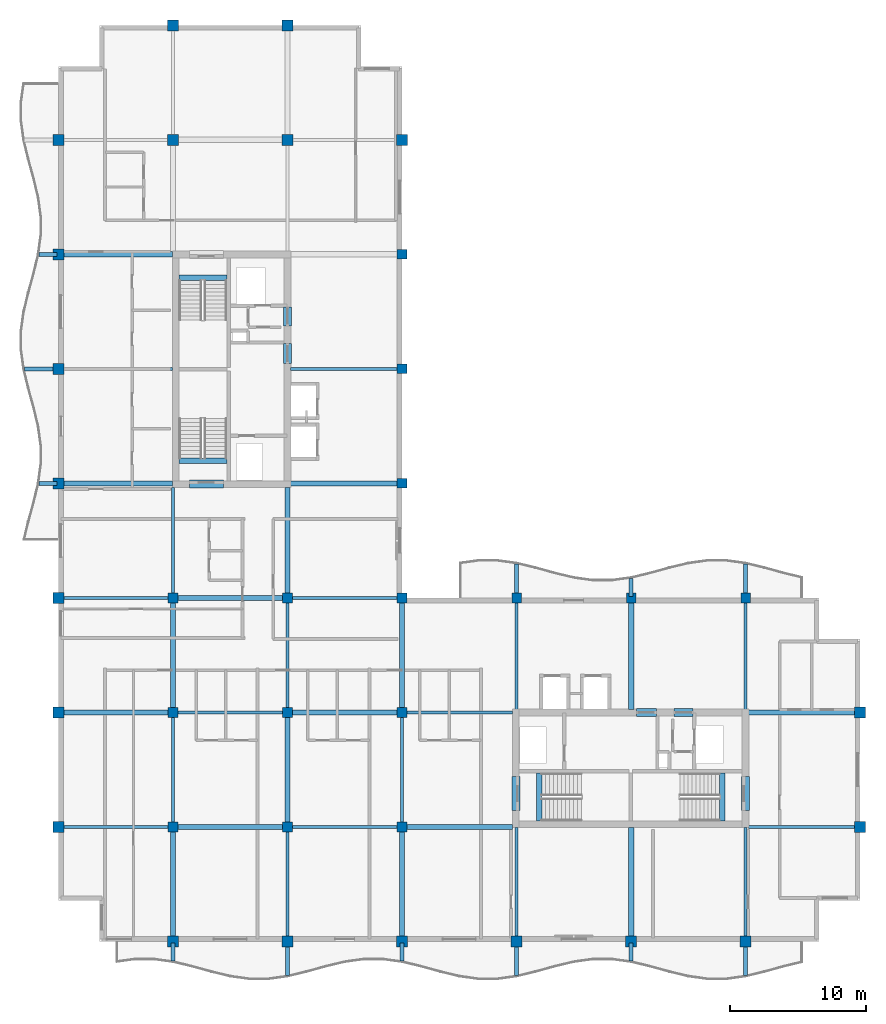
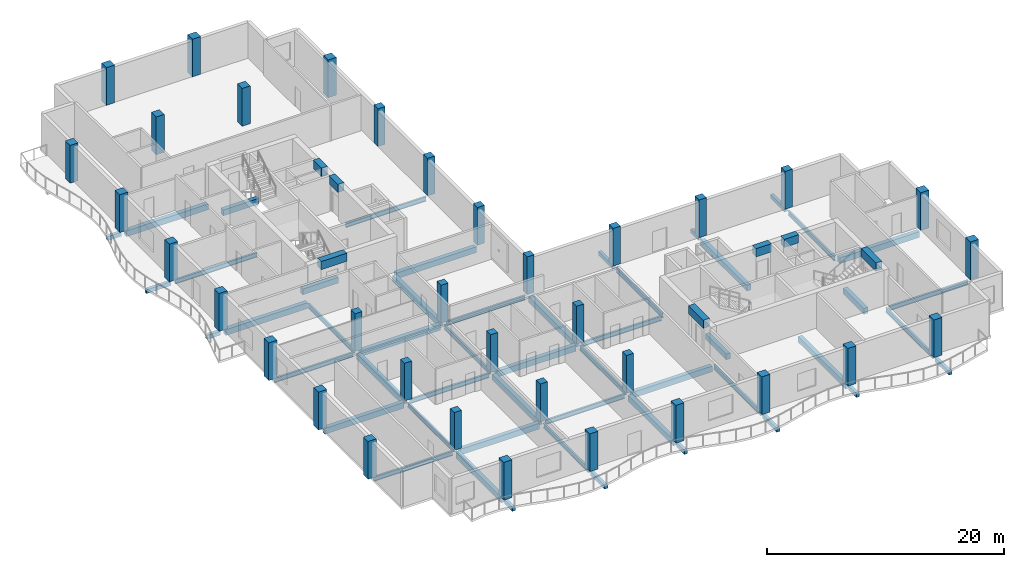
# One storey, part 1 of 11: 58 beams, 35 columns.
"""IFC4 building model written with IfcOpenShell, lengths in metres."""

from ifc_helpers import new_model, si_unit, direction, frame, origin, origin_2d, place, context, subcontext, project, spatial, rectangle, i_section, extrude, material, material_profile, profile_set, type_object, element, save


model = new_model("IFC4")

# Units and contexts
model_context = context("Model", 3, precision=1e-05, world=origin(), true_north=direction((0.0, 1.0)))
body_context = subcontext(model_context, "Body", "Model", "MODEL_VIEW")
ifc_project = project(units=[si_unit("LENGTHUNIT", "METRE"), si_unit("AREAUNIT", "SQUARE_METRE"), si_unit("VOLUMEUNIT", "CUBIC_METRE"), si_unit("PLANEANGLEUNIT", "RADIAN"), si_unit("MASSUNIT", "GRAM", prefix="KILO")], contexts=[model_context])

# Site, building, storey
site_placement = place(None, origin())
site = spatial("IfcSite", under=ifc_project, at=site_placement, CompositionType="ELEMENT")
building_placement = place(site_placement, origin())
building = spatial("IfcBuilding", under=site, at=building_placement, Name="Koriwani Terraces Tower", CompositionType="ELEMENT")
storey_placement = place(building_placement, frame((0.0, 0.0, 320.300048828125)))
storey = spatial("IfcBuildingStorey", under=building, at=storey_placement, Name="L79", CompositionType="ELEMENT", Elevation=320.300048828125)

# Columns
ifc_material_1 = material(Name="Concrete C50/60", Category="concrete")
ifc_material_profile_1 = material_profile(ifc_material_1, rectangle(XDim=0.699951171875, YDim=0.699951171875, at=origin_2d()), Name="Concrete C50/60", Category="LoadBearing")
ifc_profile_set_1 = profile_set([ifc_material_profile_1], Name="Concrete C50/60")
column_type_1 = type_object("IfcColumnType", Name="COL_RC_700X700", PredefinedType="COLUMN", material=ifc_profile_set_1)
for number, where, z_axis, x_axis, name in (
    (1, (16.800048828125, 16.800048828125, 0.0), (0.0, 0.0, 1.0), (1.0, 0.0, 0.0), "L79 Column 3/C"),
    (2, (16.800048828125, 25.199951171875, 0.0), (0.0, 0.0, 1.0), (1.0, 0.0, 0.0), "L79 Column 3/D"),
    (3, (16.800048828125, 33.60009765625, 0.0), (0.0, 0.0, 1.0), (1.0, 0.0, 0.0), "L79 Column 3/E"),
    (4, (25.199951171875, 16.800048828125, 0.0), (0.0, 0.0, 1.0), (1.0, 0.0, 0.0), "L79 Column 4/C"),
    (5, (25.199951171875, 25.199951171875, 0.0), (0.0, 0.0, 1.0), (1.0, 0.0, 0.0), "L79 Column 4/D"),
    (6, (25.199951171875, 33.60009765625, 0.0), (0.0, 0.0, 1.0), (1.0, 0.0, 0.0), "L79 Column 4/E"),
    (7, (33.60009765625, 16.800048828125, 0.0), (0.0, 0.0, 1.0), (1.0, 0.0, 0.0), "L79 Column 5/C"),
    (8, (33.60009765625, 25.199951171875, 0.0), (0.0, 0.0, 1.0), (1.0, 0.0, 0.0), "L79 Column 5/D"),
    (9, (33.60009765625, 33.60009765625, 0.0), (0.0, 0.0, 1.0), (1.0, 0.0, 0.0), "L79 Column 5/E"),
    (10, (33.60009765625, 42.0, 0.0), (0.0, 0.0, 1.0), (1.0, 0.0, 0.0), "L79 Column 5/F"),
    (11, (33.60009765625, 50.39990234375, 0.0), (0.0, 0.0, 1.0), (1.0, 0.0, 0.0), "L79 Column 5/G"),
    (12, (33.60009765625, 58.800048828125, 0.0), (0.0, 0.0, 1.0), (1.0, 0.0, 0.0), "L79 Column 5/H"),
    (13, (42.0, 33.60009765625, 0.0), (0.0, 0.0, 1.0), (1.0, 0.0, 0.0), "L79 Column 6/E"),
    (14, (50.39990234375, 33.60009765625, 0.0), (0.0, 0.0, 1.0), (1.0, 0.0, 0.0), "L79 Column 7/E"),
    (15, (58.800048828125, 33.60009765625, 0.0), (0.0, 0.0, 1.0), (1.0, 0.0, 0.0), "L79 Column 8/E"),
):
    element("IfcColumn", number, at=place(storey_placement, frame(where, z_axis=z_axis, x_axis=x_axis)), inside=storey, type_object=column_type_1, Name=name, PredefinedType="COLUMN", context=body_context, shape_type="SweptSolid", body=[
        extrude(rectangle(XDim=0.699951171875, YDim=0.699951171875, at=origin_2d()), origin(), (0.0, 0.0, 1.0), 3.89990234375),
    ])
ifc_material_profile_2 = material_profile(ifc_material_1, rectangle(XDim=0.800048828125, YDim=0.800048828125, at=origin_2d()), Name="Concrete C50/60", Category="LoadBearing")
ifc_profile_set_2 = profile_set([ifc_material_profile_2], Name="Concrete C50/60")
column_type_2 = type_object("IfcColumnType", Name="COL_RC_800X800", PredefinedType="COLUMN", material=ifc_profile_set_2)
for number, where, z_axis, x_axis, name in (
    (16, (8.39990234375, 16.800048828125, 0.0), (0.0, 0.0, 1.0), (1.0, 0.0, 0.0), "L79 Column 2/C"),
    (17, (8.39990234375, 25.199951171875, 0.0), (0.0, 0.0, 1.0), (1.0, 0.0, 0.0), "L79 Column 2/D"),
    (18, (8.39990234375, 33.60009765625, 0.0), (0.0, 0.0, 1.0), (1.0, 0.0, 0.0), "L79 Column 2/E"),
    (19, (8.39990234375, 42.0, 0.0), (0.0, 0.0, 1.0), (1.0, 0.0, 0.0), "L79 Column 2/F"),
    (20, (8.39990234375, 50.39990234375, 0.0), (0.0, 0.0, 1.0), (1.0, 0.0, 0.0), "L79 Column 2/G"),
    (21, (8.39990234375, 58.800048828125, 0.0), (0.0, 0.0, 1.0), (1.0, 0.0, 0.0), "L79 Column 2/H"),
    (22, (8.39990234375, 67.199951171875, 0.0), (0.0, 0.0, 1.0), (1.0, 0.0, 0.0), "L79 Column 2/I"),
    (23, (16.800048828125, 8.39990234375, 0.0), (0.0, 0.0, 1.0), (1.0, 0.0, 0.0), "L79 Column 3/B"),
    (24, (16.800048828125, 67.199951171875, 0.0), (0.0, 0.0, 1.0), (1.0, 0.0, 0.0), "L79 Column 3/I"),
    (25, (16.800048828125, 75.60009765625, 0.0), (0.0, 0.0, 1.0), (1.0, 0.0, 0.0), "L79 Column 3/J"),
    (26, (25.199951171875, 8.39990234375, 0.0), (0.0, 0.0, 1.0), (1.0, 0.0, 0.0), "L79 Column 4/B"),
    (27, (25.199951171875, 67.199951171875, 0.0), (0.0, 0.0, 1.0), (1.0, 0.0, 0.0), "L79 Column 4/I"),
    (28, (25.199951171875, 75.60009765625, 0.0), (0.0, 0.0, 1.0), (1.0, 0.0, 0.0), "L79 Column 4/J"),
    (29, (33.60009765625, 8.39990234375, 0.0), (0.0, 0.0, 1.0), (1.0, 0.0, 0.0), "L79 Column 5/B"),
    (30, (33.60009765625, 67.199951171875, 0.0), (0.0, 0.0, 1.0), (1.0, 0.0, 0.0), "L79 Column 5/I"),
    (31, (42.0, 8.39990234375, 0.0), (0.0, 0.0, 1.0), (1.0, 0.0, 0.0), "L79 Column 6/B"),
    (32, (50.39990234375, 8.39990234375, 0.0), (0.0, 0.0, 1.0), (1.0, 0.0, 0.0), "L79 Column 7/B"),
    (33, (58.800048828125, 8.39990234375, 0.0), (0.0, 0.0, 1.0), (1.0, 0.0, 0.0), "L79 Column 8/B"),
    (34, (67.199951171875, 16.800048828125, 0.0), (0.0, 0.0, 1.0), (1.0, 0.0, 0.0), "L79 Column 9/C"),
    (35, (67.199951171875, 25.199951171875, 0.0), (0.0, 0.0, 1.0), (1.0, 0.0, 0.0), "L79 Column 9/D"),
):
    element("IfcColumn", number, at=place(storey_placement, frame(where, z_axis=z_axis, x_axis=x_axis)), inside=storey, type_object=column_type_2, Name=name, PredefinedType="COLUMN", context=body_context, shape_type="SweptSolid", body=[
        extrude(rectangle(XDim=0.800048828125, YDim=0.800048828125, at=origin_2d()), origin(), (0.0, 0.0, 1.0), 3.89990234375),
    ])

# Beams
ifc_material_2 = material(Name="Concrete C40/50", Category="concrete")
ifc_material_profile_3 = material_profile(ifc_material_2, rectangle(XDim=0.300048828125, YDim=0.39990234375, at=origin_2d()), Name="Concrete C40/50", Category="LoadBearing")
ifc_profile_set_3 = profile_set([ifc_material_profile_3], Name="Concrete C40/50")
beam_type_1 = type_object("IfcBeamType", Name="BEAM_RC_BALCONY_RIB_300X400", PredefinedType="JOIST", material=ifc_profile_set_3)
beam_1_placement = place(storey_placement, frame((16.800048828125, 6.980224609375, -0.429931640625), z_axis=(0.0, 1.0, 0.0), x_axis=(-1.0, 0.0, 0.0)))
element("IfcBeam", 36, at=beam_1_placement, inside=storey, type_object=beam_type_1, Name="L79 Balcony Bracket Rib S-1", PredefinedType="JOIST", context=body_context, shape_type="SweptSolid", body=[
    extrude(rectangle(XDim=0.300048828125, YDim=0.39990234375, at=origin_2d()), origin(), (0.0, 0.0, 1.0), 1.31982421875),
])
beam_2_placement = place(storey_placement, frame((25.199951171875, 5.919677734375, -0.429931640625), z_axis=(0.0, 1.0, 0.0), x_axis=(-1.0, 0.0, 0.0)))
element("IfcBeam", 37, at=beam_2_placement, inside=storey, type_object=beam_type_1, Name="L79 Balcony Bracket Rib S-2", PredefinedType="JOIST", context=body_context, shape_type="SweptSolid", body=[
    extrude(rectangle(XDim=0.300048828125, YDim=0.39990234375, at=origin_2d()), origin(), (0.0, 0.0, 1.0), 2.38037109375),
])
beam_3_placement = place(storey_placement, frame((33.60009765625, 6.980224609375, -0.429931640625), z_axis=(0.0, 1.0, 0.0), x_axis=(-1.0, 0.0, 0.0)))
element("IfcBeam", 38, at=beam_3_placement, inside=storey, type_object=beam_type_1, Name="L79 Balcony Bracket Rib S-3", PredefinedType="JOIST", context=body_context, shape_type="SweptSolid", body=[
    extrude(rectangle(XDim=0.300048828125, YDim=0.39990234375, at=origin_2d()), origin(), (0.0, 0.0, 1.0), 1.31982421875),
])
beam_4_placement = place(storey_placement, frame((42.0, 5.919677734375, -0.429931640625), z_axis=(0.0, 1.0, 0.0), x_axis=(-1.0, 0.0, 0.0)))
element("IfcBeam", 39, at=beam_4_placement, inside=storey, type_object=beam_type_1, Name="L79 Balcony Bracket Rib S-4", PredefinedType="JOIST", context=body_context, shape_type="SweptSolid", body=[
    extrude(rectangle(XDim=0.300048828125, YDim=0.39990234375, at=origin_2d()), origin(), (0.0, 0.0, 1.0), 2.38037109375),
])
beam_5_placement = place(storey_placement, frame((50.39990234375, 6.980224609375, -0.429931640625), z_axis=(0.0, 1.0, 0.0), x_axis=(-1.0, 0.0, 0.0)))
element("IfcBeam", 40, at=beam_5_placement, inside=storey, type_object=beam_type_1, Name="L79 Balcony Bracket Rib S-5", PredefinedType="JOIST", context=body_context, shape_type="SweptSolid", body=[
    extrude(rectangle(XDim=0.300048828125, YDim=0.39990234375, at=origin_2d()), origin(), (0.0, 0.0, 1.0), 1.31982421875),
])
beam_6_placement = place(storey_placement, frame((58.800048828125, 5.919677734375, -0.429931640625), z_axis=(0.0, 1.0, 0.0), x_axis=(-1.0, 0.0, 0.0)))
element("IfcBeam", 41, at=beam_6_placement, inside=storey, type_object=beam_type_1, Name="L79 Balcony Bracket Rib S-6", PredefinedType="JOIST", context=body_context, shape_type="SweptSolid", body=[
    extrude(rectangle(XDim=0.300048828125, YDim=0.39990234375, at=origin_2d()), origin(), (0.0, 0.0, 1.0), 2.38037109375),
])
beam_7_placement = place(storey_placement, frame((6.980224609375, 42.0, -0.429931640625), z_axis=(1.0, 0.0, 0.0), x_axis=(0.0, 1.0, 0.0)))
element("IfcBeam", 42, at=beam_7_placement, inside=storey, type_object=beam_type_1, Name="L79 Balcony Bracket Rib W-1", PredefinedType="JOIST", context=body_context, shape_type="SweptSolid", body=[
    extrude(rectangle(XDim=0.300048828125, YDim=0.39990234375, at=origin_2d()), origin(), (0.0, 0.0, 1.0), 1.31982421875),
])
beam_8_placement = place(storey_placement, frame((5.919677734375, 50.39990234375, -0.429931640625), z_axis=(1.0, 0.0, 0.0), x_axis=(0.0, 1.0, 0.0)))
element("IfcBeam", 43, at=beam_8_placement, inside=storey, type_object=beam_type_1, Name="L79 Balcony Bracket Rib W-2", PredefinedType="JOIST", context=body_context, shape_type="SweptSolid", body=[
    extrude(rectangle(XDim=0.300048828125, YDim=0.39990234375, at=origin_2d()), origin(), (0.0, 0.0, 1.0), 2.38037109375),
])
beam_9_placement = place(storey_placement, frame((6.980224609375, 58.800048828125, -0.429931640625), z_axis=(1.0, 0.0, 0.0), x_axis=(0.0, 1.0, 0.0)))
element("IfcBeam", 44, at=beam_9_placement, inside=storey, type_object=beam_type_1, Name="L79 Balcony Bracket Rib W-3", PredefinedType="JOIST", context=body_context, shape_type="SweptSolid", body=[
    extrude(rectangle(XDim=0.300048828125, YDim=0.39990234375, at=origin_2d()), origin(), (0.0, 0.0, 1.0), 1.31982421875),
])
beam_10_placement = place(storey_placement, frame((42.0, 33.699951171875, -0.429931640625), z_axis=(0.0, 1.0, 0.0), x_axis=(-1.0, 0.0, 0.0)))
element("IfcBeam", 45, at=beam_10_placement, inside=storey, type_object=beam_type_1, Name="L79 Balcony Bracket Rib NE-1", PredefinedType="JOIST", context=body_context, shape_type="SweptSolid", body=[
    extrude(rectangle(XDim=0.300048828125, YDim=0.39990234375, at=origin_2d()), origin(), (0.0, 0.0, 1.0), 2.38037109375),
])
beam_11_placement = place(storey_placement, frame((50.39990234375, 33.699951171875, -0.429931640625), z_axis=(0.0, 1.0, 0.0), x_axis=(-1.0, 0.0, 0.0)))
element("IfcBeam", 46, at=beam_11_placement, inside=storey, type_object=beam_type_1, Name="L79 Balcony Bracket Rib NE-2", PredefinedType="JOIST", context=body_context, shape_type="SweptSolid", body=[
    extrude(rectangle(XDim=0.300048828125, YDim=0.39990234375, at=origin_2d()), origin(), (0.0, 0.0, 1.0), 1.31982421875),
])
beam_12_placement = place(storey_placement, frame((58.800048828125, 33.699951171875, -0.429931640625), z_axis=(0.0, 1.0, 0.0), x_axis=(-1.0, 0.0, 0.0)))
element("IfcBeam", 47, at=beam_12_placement, inside=storey, type_object=beam_type_1, Name="L79 Balcony Bracket Rib NE-3", PredefinedType="JOIST", context=body_context, shape_type="SweptSolid", body=[
    extrude(rectangle(XDim=0.300048828125, YDim=0.39990234375, at=origin_2d()), origin(), (0.0, 0.0, 1.0), 2.38037109375),
])
ifc_material_profile_4 = material_profile(ifc_material_1, rectangle(XDim=0.60009765625, YDim=0.85009765625, at=origin_2d()), Name="Concrete C50/60", Category="LoadBearing")
ifc_profile_set_4 = profile_set([ifc_material_profile_4], Name="Concrete C50/60")
beam_type_2 = type_object("IfcBeamType", Name="BEAM_RC_COUPLING_600X850", PredefinedType="LINTEL", material=ifc_profile_set_4)
beam_13_placement = place(storey_placement, frame((25.199951171875, 50.800048828125, 3.244873046875), z_axis=(0.0, 1.0, 0.0), x_axis=(-1.0, 0.0, 0.0)))
element("IfcBeam", 48, at=beam_13_placement, inside=storey, type_object=beam_type_2, Name="L79 Core Coupling Lintel Beam WE1", PredefinedType="LINTEL", context=body_context, shape_type="SweptSolid", body=[
    extrude(rectangle(XDim=0.60009765625, YDim=0.85009765625, at=origin_2d()), origin(), (0.0, 0.0, 1.0), 1.47998046875),
])
beam_14_placement = place(storey_placement, frame((25.199951171875, 53.550048828125, 3.244873046875), z_axis=(0.0, 1.0, 0.0), x_axis=(-1.0, 0.0, 0.0)))
element("IfcBeam", 49, at=beam_14_placement, inside=storey, type_object=beam_type_2, Name="L79 Core Coupling Lintel Beam WE2", PredefinedType="LINTEL", context=body_context, shape_type="SweptSolid", body=[
    extrude(rectangle(XDim=0.60009765625, YDim=0.85009765625, at=origin_2d()), origin(), (0.0, 0.0, 1.0), 1.39990234375),
])
beam_15_placement = place(storey_placement, frame((18.0, 41.949951171875, 3.244873046875), z_axis=(1.0, 0.0, 0.0), x_axis=(0.0, 1.0, 0.0)))
element("IfcBeam", 50, at=beam_15_placement, inside=storey, type_object=beam_type_2, Name="L79 Core Coupling Lintel Beam WS", PredefinedType="LINTEL", context=body_context, shape_type="SweptSolid", body=[
    extrude(rectangle(XDim=0.60009765625, YDim=0.85009765625, at=origin_2d()), origin(), (0.0, 0.0, 1.0), 2.5),
])
beam_16_placement = place(storey_placement, frame((50.800048828125, 25.199951171875, 3.244873046875), z_axis=(1.0, 0.0, 0.0), x_axis=(0.0, 1.0, 0.0)))
element("IfcBeam", 51, at=beam_16_placement, inside=storey, type_object=beam_type_2, Name="L79 Core Coupling Lintel Beam EN1", PredefinedType="LINTEL", context=body_context, shape_type="SweptSolid", body=[
    extrude(rectangle(XDim=0.60009765625, YDim=0.85009765625, at=origin_2d()), origin(), (0.0, 0.0, 1.0), 1.47998046875),
])
beam_17_placement = place(storey_placement, frame((53.550048828125, 25.199951171875, 3.244873046875), z_axis=(1.0, 0.0, 0.0), x_axis=(0.0, 1.0, 0.0)))
element("IfcBeam", 52, at=beam_17_placement, inside=storey, type_object=beam_type_2, Name="L79 Core Coupling Lintel Beam EN2", PredefinedType="LINTEL", context=body_context, shape_type="SweptSolid", body=[
    extrude(rectangle(XDim=0.60009765625, YDim=0.85009765625, at=origin_2d()), origin(), (0.0, 0.0, 1.0), 1.39990234375),
])
for number, where, z_axis, x_axis, name in (
    (53, (41.949951171875, 18.0, 3.244873046875), (0.0, 1.0, 0.0), (-1.0, 0.0, 0.0), "L79 Core Coupling Lintel Beam EW"),
    (54, (58.800048828125, 18.0, 3.244873046875), (0.0, 1.0, 0.0), (-1.0, 0.0, 0.0), "L79 Core Coupling Lintel Beam EE"),
):
    element("IfcBeam", number, at=place(storey_placement, frame(where, z_axis=z_axis, x_axis=x_axis)), inside=storey, type_object=beam_type_2, Name=name, PredefinedType="LINTEL", context=body_context, shape_type="SweptSolid", body=[
        extrude(rectangle(XDim=0.60009765625, YDim=0.85009765625, at=origin_2d()), origin(), (0.0, 0.0, 1.0), 2.5),
    ])
ifc_material_profile_5 = material_profile(ifc_material_2, rectangle(XDim=0.39990234375, YDim=0.60009765625, at=origin_2d()), Name="Concrete C40/50", Category="LoadBearing")
ifc_profile_set_5 = profile_set([ifc_material_profile_5], Name="Concrete C40/50")
beam_type_3 = type_object("IfcBeamType", Name="BEAM_RC_GRID_400X600", PredefinedType="BEAM", material=ifc_profile_set_5)
for number, where, z_axis, x_axis, name in (
    (55, (17.25, 43.655029296875, -0.300048828125), (1.0, 0.0, 0.0), (0.0, 1.0, 0.0), "L79 Stairwell Header Trimmer Beam ST-W1"),
    (56, (17.25, 57.094970703125, -0.300048828125), (1.0, 0.0, 0.0), (0.0, 1.0, 0.0), "L79 Stairwell Header Trimmer Beam ST-W2"),
    (57, (43.655029296875, 17.25, -0.300048828125), (0.0, 1.0, 0.0), (-1.0, 0.0, 0.0), "L79 Stairwell Header Trimmer Beam ST-E1"),
    (58, (57.094970703125, 17.25, -0.300048828125), (0.0, 1.0, 0.0), (-1.0, 0.0, 0.0), "L79 Stairwell Header Trimmer Beam ST-E2"),
):
    element("IfcBeam", number, at=place(storey_placement, frame(where, z_axis=z_axis, x_axis=x_axis)), inside=storey, type_object=beam_type_3, Name=name, PredefinedType="BEAM", context=body_context, shape_type="SweptSolid", body=[
        extrude(rectangle(XDim=0.39990234375, YDim=0.60009765625, at=origin_2d()), origin(), (0.0, 0.0, 1.0), 3.5),
    ])
beam_18_placement = place(storey_placement, frame((17.1298828125, 16.800048828125, -0.530029296875), z_axis=(1.0, 0.0, 0.0), x_axis=(0.0, 1.0, 0.0)))
element("IfcBeam", 59, at=beam_18_placement, inside=storey, type_object=beam_type_3, Name="L79 Grid Beam C (16.8-25.2m)", PredefinedType="BEAM", context=body_context, shape_type="SweptSolid", body=[
    extrude(rectangle(XDim=0.39990234375, YDim=0.60009765625, at=origin_2d()), origin(), (0.0, 0.0, 1.0), 7.740234375),
])
beam_19_placement = place(storey_placement, frame((33.929931640625, 16.800048828125, -0.530029296875), z_axis=(1.0, 0.0, 0.0), x_axis=(0.0, 1.0, 0.0)))
element("IfcBeam", 60, at=beam_19_placement, inside=storey, type_object=beam_type_3, Name="L79 Grid Beam C (33.6-42.0m)", PredefinedType="BEAM", context=body_context, shape_type="SweptSolid", body=[
    extrude(rectangle(XDim=0.39990234375, YDim=0.60009765625, at=origin_2d()), origin(), (0.0, 0.0, 1.0), 7.7900390625),
])
beam_20_placement = place(storey_placement, frame((8.780029296875, 25.199951171875, -0.530029296875), z_axis=(1.0, 0.0, 0.0), x_axis=(0.0, 1.0, 0.0)))
element("IfcBeam", 61, at=beam_20_placement, inside=storey, type_object=beam_type_3, Name="L79 Grid Beam D (8.4-16.8m)", PredefinedType="BEAM", context=body_context, shape_type="SweptSolid", body=[
    extrude(rectangle(XDim=0.39990234375, YDim=0.60009765625, at=origin_2d()), origin(), (0.0, 0.0, 1.0), 7.68994140625),
])
beam_21_placement = place(storey_placement, frame((25.530029296875, 25.199951171875, -0.530029296875), z_axis=(1.0, 0.0, 0.0), x_axis=(0.0, 1.0, 0.0)))
element("IfcBeam", 62, at=beam_21_placement, inside=storey, type_object=beam_type_3, Name="L79 Grid Beam D (25.2-33.6m)", PredefinedType="BEAM", context=body_context, shape_type="SweptSolid", body=[
    extrude(rectangle(XDim=0.39990234375, YDim=0.60009765625, at=origin_2d()), origin(), (0.0, 0.0, 1.0), 7.739990234375),
])
beam_22_placement = place(storey_placement, frame((59.030029296875, 25.199951171875, -0.530029296875), z_axis=(1.0, 0.0, 0.0), x_axis=(0.0, 1.0, 0.0)))
element("IfcBeam", 63, at=beam_22_placement, inside=storey, type_object=beam_type_3, Name="L79 Grid Beam D (58.8-67.2m)", PredefinedType="BEAM", context=body_context, shape_type="SweptSolid", body=[
    extrude(rectangle(XDim=0.39990234375, YDim=0.60009765625, at=origin_2d()), origin(), (0.0, 0.0, 1.0), 7.7900390625),
])
beam_23_placement = place(storey_placement, frame((17.1298828125, 33.60009765625, -0.530029296875), z_axis=(1.0, 0.0, 0.0), x_axis=(0.0, 1.0, 0.0)))
element("IfcBeam", 64, at=beam_23_placement, inside=storey, type_object=beam_type_3, Name="L79 Grid Beam E (16.8-25.2m)", PredefinedType="BEAM", context=body_context, shape_type="SweptSolid", body=[
    extrude(rectangle(XDim=0.39990234375, YDim=0.60009765625, at=origin_2d()), origin(), (0.0, 0.0, 1.0), 7.740234375),
])
beam_24_placement = place(storey_placement, frame((8.780029296875, 42.0, -0.530029296875), z_axis=(1.0, 0.0, 0.0), x_axis=(0.0, 1.0, 0.0)))
element("IfcBeam", 65, at=beam_24_placement, inside=storey, type_object=beam_type_3, Name="L79 Grid Beam F (8.4-16.8m)", PredefinedType="BEAM", context=body_context, shape_type="SweptSolid", body=[
    extrude(rectangle(XDim=0.39990234375, YDim=0.60009765625, at=origin_2d()), origin(), (0.0, 0.0, 1.0), 7.989990234375),
])
beam_25_placement = place(storey_placement, frame((25.429931640625, 42.0, -0.530029296875), z_axis=(1.0, 0.0, 0.0), x_axis=(0.0, 1.0, 0.0)))
element("IfcBeam", 66, at=beam_25_placement, inside=storey, type_object=beam_type_3, Name="L79 Grid Beam F (25.2-33.6m)", PredefinedType="BEAM", context=body_context, shape_type="SweptSolid", body=[
    extrude(rectangle(XDim=0.39990234375, YDim=0.60009765625, at=origin_2d()), origin(), (0.0, 0.0, 1.0), 7.840087890625),
])
beam_26_placement = place(storey_placement, frame((8.780029296875, 58.800048828125, -0.530029296875), z_axis=(1.0, 0.0, 0.0), x_axis=(0.0, 1.0, 0.0)))
element("IfcBeam", 67, at=beam_26_placement, inside=storey, type_object=beam_type_3, Name="L79 Grid Beam H (8.4-16.8m)", PredefinedType="BEAM", context=body_context, shape_type="SweptSolid", body=[
    extrude(rectangle(XDim=0.39990234375, YDim=0.60009765625, at=origin_2d()), origin(), (0.0, 0.0, 1.0), 7.989990234375),
])
beam_27_placement = place(storey_placement, frame((16.800048828125, 8.780029296875, -0.530029296875), z_axis=(0.0, 1.0, 0.0), x_axis=(-1.0, 0.0, 0.0)))
element("IfcBeam", 68, at=beam_27_placement, inside=storey, type_object=beam_type_3, Name="L79 Grid Beam 3 (8.4-16.8m)", PredefinedType="BEAM", context=body_context, shape_type="SweptSolid", body=[
    extrude(rectangle(XDim=0.39990234375, YDim=0.60009765625, at=origin_2d()), origin(), (0.0, 0.0, 1.0), 7.68994140625),
])
beam_28_placement = place(storey_placement, frame((16.800048828125, 25.530029296875, -0.530029296875), z_axis=(0.0, 1.0, 0.0), x_axis=(-1.0, 0.0, 0.0)))
element("IfcBeam", 69, at=beam_28_placement, inside=storey, type_object=beam_type_3, Name="L79 Grid Beam 3 (25.2-33.6m)", PredefinedType="BEAM", context=body_context, shape_type="SweptSolid", body=[
    extrude(rectangle(XDim=0.39990234375, YDim=0.60009765625, at=origin_2d()), origin(), (0.0, 0.0, 1.0), 7.739990234375),
])
beam_29_placement = place(storey_placement, frame((25.199951171875, 17.1298828125, -0.530029296875), z_axis=(0.0, 1.0, 0.0), x_axis=(-1.0, 0.0, 0.0)))
element("IfcBeam", 70, at=beam_29_placement, inside=storey, type_object=beam_type_3, Name="L79 Grid Beam 4 (16.8-25.2m)", PredefinedType="BEAM", context=body_context, shape_type="SweptSolid", body=[
    extrude(rectangle(XDim=0.39990234375, YDim=0.60009765625, at=origin_2d()), origin(), (0.0, 0.0, 1.0), 7.740234375),
])
beam_30_placement = place(storey_placement, frame((25.199951171875, 33.929931640625, -0.530029296875), z_axis=(0.0, 1.0, 0.0), x_axis=(-1.0, 0.0, 0.0)))
element("IfcBeam", 71, at=beam_30_placement, inside=storey, type_object=beam_type_3, Name="L79 Grid Beam 4 (33.6-42.0m)", PredefinedType="BEAM", context=body_context, shape_type="SweptSolid", body=[
    extrude(rectangle(XDim=0.39990234375, YDim=0.60009765625, at=origin_2d()), origin(), (0.0, 0.0, 1.0), 7.7900390625),
])
beam_31_placement = place(storey_placement, frame((33.60009765625, 8.780029296875, -0.530029296875), z_axis=(0.0, 1.0, 0.0), x_axis=(-1.0, 0.0, 0.0)))
element("IfcBeam", 72, at=beam_31_placement, inside=storey, type_object=beam_type_3, Name="L79 Grid Beam 5 (8.4-16.8m)", PredefinedType="BEAM", context=body_context, shape_type="SweptSolid", body=[
    extrude(rectangle(XDim=0.39990234375, YDim=0.60009765625, at=origin_2d()), origin(), (0.0, 0.0, 1.0), 7.68994140625),
])
beam_32_placement = place(storey_placement, frame((33.60009765625, 25.530029296875, -0.530029296875), z_axis=(0.0, 1.0, 0.0), x_axis=(-1.0, 0.0, 0.0)))
element("IfcBeam", 73, at=beam_32_placement, inside=storey, type_object=beam_type_3, Name="L79 Grid Beam 5 (25.2-33.6m)", PredefinedType="BEAM", context=body_context, shape_type="SweptSolid", body=[
    extrude(rectangle(XDim=0.39990234375, YDim=0.60009765625, at=origin_2d()), origin(), (0.0, 0.0, 1.0), 7.739990234375),
])
beam_33_placement = place(storey_placement, frame((50.39990234375, 8.780029296875, -0.530029296875), z_axis=(0.0, 1.0, 0.0), x_axis=(-1.0, 0.0, 0.0)))
element("IfcBeam", 74, at=beam_33_placement, inside=storey, type_object=beam_type_3, Name="L79 Grid Beam 7 (8.4-16.8m)", PredefinedType="BEAM", context=body_context, shape_type="SweptSolid", body=[
    extrude(rectangle(XDim=0.39990234375, YDim=0.60009765625, at=origin_2d()), origin(), (0.0, 0.0, 1.0), 7.989990234375),
])
beam_34_placement = place(storey_placement, frame((50.39990234375, 25.429931640625, -0.530029296875), z_axis=(0.0, 1.0, 0.0), x_axis=(-1.0, 0.0, 0.0)))
element("IfcBeam", 75, at=beam_34_placement, inside=storey, type_object=beam_type_3, Name="L79 Grid Beam 7 (25.2-33.6m)", PredefinedType="BEAM", context=body_context, shape_type="SweptSolid", body=[
    extrude(rectangle(XDim=0.39990234375, YDim=0.60009765625, at=origin_2d()), origin(), (0.0, 0.0, 1.0), 7.840087890625),
])
ifc_material_3 = material(Name="Steel ASTM A572 Grade 50", Category="steel")
ifc_material_profile_6 = material_profile(ifc_material_3, i_section(OverallWidth=0.19189453125, OverallDepth=0.462890625, WebThickness=0.010498046875, FlangeThickness=0.01611328125, at=origin_2d()), Name="Steel ASTM A572 Grade 50", Category="LoadBearing")
ifc_profile_set_6 = profile_set([ifc_material_profile_6], Name="Steel ASTM A572 Grade 50")
beam_type_4 = type_object("IfcBeamType", Name="STEEL_BEAM_W460X89", PredefinedType="BEAM", material=ifc_profile_set_6)
beam_35_placement = place(storey_placement, frame((8.780029296875, 16.800048828125, -0.461669921875), z_axis=(1.0, 0.0, 0.0), x_axis=(0.0, 1.0, 0.0)))
element("IfcBeam", 76, at=beam_35_placement, inside=storey, type_object=beam_type_4, Name="L79 Grid Beam C (8.4-16.8m)", PredefinedType="BEAM", context=body_context, shape_type="SweptSolid", body=[
    extrude(i_section(OverallWidth=0.19189453125, OverallDepth=0.462890625, WebThickness=0.010498046875, FlangeThickness=0.01611328125, at=origin_2d()), origin(), (0.0, 0.0, 1.0), 7.68994140625),
])
beam_36_placement = place(storey_placement, frame((25.530029296875, 16.800048828125, -0.461669921875), z_axis=(1.0, 0.0, 0.0), x_axis=(0.0, 1.0, 0.0)))
element("IfcBeam", 77, at=beam_36_placement, inside=storey, type_object=beam_type_4, Name="L79 Grid Beam C (25.2-33.6m)", PredefinedType="BEAM", context=body_context, shape_type="SweptSolid", body=[
    extrude(i_section(OverallWidth=0.19189453125, OverallDepth=0.462890625, WebThickness=0.010498046875, FlangeThickness=0.01611328125, at=origin_2d()), origin(), (0.0, 0.0, 1.0), 7.739990234375),
])
beam_37_placement = place(storey_placement, frame((59.030029296875, 16.800048828125, -0.461669921875), z_axis=(1.0, 0.0, 0.0), x_axis=(0.0, 1.0, 0.0)))
element("IfcBeam", 78, at=beam_37_placement, inside=storey, type_object=beam_type_4, Name="L79 Grid Beam C (58.8-67.2m)", PredefinedType="BEAM", context=body_context, shape_type="SweptSolid", body=[
    extrude(i_section(OverallWidth=0.19189453125, OverallDepth=0.462890625, WebThickness=0.010498046875, FlangeThickness=0.01611328125, at=origin_2d()), origin(), (0.0, 0.0, 1.0), 7.7900390625),
])
beam_38_placement = place(storey_placement, frame((17.1298828125, 25.199951171875, -0.461669921875), z_axis=(1.0, 0.0, 0.0), x_axis=(0.0, 1.0, 0.0)))
element("IfcBeam", 79, at=beam_38_placement, inside=storey, type_object=beam_type_4, Name="L79 Grid Beam D (16.8-25.2m)", PredefinedType="BEAM", context=body_context, shape_type="SweptSolid", body=[
    extrude(i_section(OverallWidth=0.19189453125, OverallDepth=0.462890625, WebThickness=0.010498046875, FlangeThickness=0.01611328125, at=origin_2d()), origin(), (0.0, 0.0, 1.0), 7.740234375),
])
beam_39_placement = place(storey_placement, frame((33.929931640625, 25.199951171875, -0.461669921875), z_axis=(1.0, 0.0, 0.0), x_axis=(0.0, 1.0, 0.0)))
element("IfcBeam", 80, at=beam_39_placement, inside=storey, type_object=beam_type_4, Name="L79 Grid Beam D (33.6-42.0m)", PredefinedType="BEAM", context=body_context, shape_type="SweptSolid", body=[
    extrude(i_section(OverallWidth=0.19189453125, OverallDepth=0.462890625, WebThickness=0.010498046875, FlangeThickness=0.01611328125, at=origin_2d()), origin(), (0.0, 0.0, 1.0), 7.7900390625),
])
beam_40_placement = place(storey_placement, frame((8.780029296875, 33.60009765625, -0.461669921875), z_axis=(1.0, 0.0, 0.0), x_axis=(0.0, 1.0, 0.0)))
element("IfcBeam", 81, at=beam_40_placement, inside=storey, type_object=beam_type_4, Name="L79 Grid Beam E (8.4-16.8m)", PredefinedType="BEAM", context=body_context, shape_type="SweptSolid", body=[
    extrude(i_section(OverallWidth=0.19189453125, OverallDepth=0.462890625, WebThickness=0.010498046875, FlangeThickness=0.01611328125, at=origin_2d()), origin(), (0.0, 0.0, 1.0), 7.68994140625),
])
beam_41_placement = place(storey_placement, frame((25.530029296875, 33.60009765625, -0.461669921875), z_axis=(1.0, 0.0, 0.0), x_axis=(0.0, 1.0, 0.0)))
element("IfcBeam", 82, at=beam_41_placement, inside=storey, type_object=beam_type_4, Name="L79 Grid Beam E (25.2-33.6m)", PredefinedType="BEAM", context=body_context, shape_type="SweptSolid", body=[
    extrude(i_section(OverallWidth=0.19189453125, OverallDepth=0.462890625, WebThickness=0.010498046875, FlangeThickness=0.01611328125, at=origin_2d()), origin(), (0.0, 0.0, 1.0), 7.739990234375),
])
beam_42_placement = place(storey_placement, frame((8.780029296875, 50.39990234375, -0.461669921875), z_axis=(1.0, 0.0, 0.0), x_axis=(0.0, 1.0, 0.0)))
element("IfcBeam", 83, at=beam_42_placement, inside=storey, type_object=beam_type_4, Name="L79 Grid Beam G (8.4-16.8m)", PredefinedType="BEAM", context=body_context, shape_type="SweptSolid", body=[
    extrude(i_section(OverallWidth=0.19189453125, OverallDepth=0.462890625, WebThickness=0.010498046875, FlangeThickness=0.01611328125, at=origin_2d()), origin(), (0.0, 0.0, 1.0), 7.989990234375),
])
beam_43_placement = place(storey_placement, frame((25.429931640625, 50.39990234375, -0.461669921875), z_axis=(1.0, 0.0, 0.0), x_axis=(0.0, 1.0, 0.0)))
element("IfcBeam", 84, at=beam_43_placement, inside=storey, type_object=beam_type_4, Name="L79 Grid Beam G (25.2-33.6m)", PredefinedType="BEAM", context=body_context, shape_type="SweptSolid", body=[
    extrude(i_section(OverallWidth=0.19189453125, OverallDepth=0.462890625, WebThickness=0.010498046875, FlangeThickness=0.01611328125, at=origin_2d()), origin(), (0.0, 0.0, 1.0), 7.840087890625),
])
beam_44_placement = place(storey_placement, frame((16.800048828125, 17.1298828125, -0.461669921875), z_axis=(0.0, 1.0, 0.0), x_axis=(-1.0, 0.0, 0.0)))
element("IfcBeam", 85, at=beam_44_placement, inside=storey, type_object=beam_type_4, Name="L79 Grid Beam 3 (16.8-25.2m)", PredefinedType="BEAM", context=body_context, shape_type="SweptSolid", body=[
    extrude(i_section(OverallWidth=0.19189453125, OverallDepth=0.462890625, WebThickness=0.010498046875, FlangeThickness=0.01611328125, at=origin_2d()), origin(), (0.0, 0.0, 1.0), 7.740234375),
])
beam_45_placement = place(storey_placement, frame((16.800048828125, 33.929931640625, -0.461669921875), z_axis=(0.0, 1.0, 0.0), x_axis=(-1.0, 0.0, 0.0)))
element("IfcBeam", 86, at=beam_45_placement, inside=storey, type_object=beam_type_4, Name="L79 Grid Beam 3 (33.6-42.0m)", PredefinedType="BEAM", context=body_context, shape_type="SweptSolid", body=[
    extrude(i_section(OverallWidth=0.19189453125, OverallDepth=0.462890625, WebThickness=0.010498046875, FlangeThickness=0.01611328125, at=origin_2d()), origin(), (0.0, 0.0, 1.0), 7.7900390625),
])
beam_46_placement = place(storey_placement, frame((25.199951171875, 8.780029296875, -0.461669921875), z_axis=(0.0, 1.0, 0.0), x_axis=(-1.0, 0.0, 0.0)))
element("IfcBeam", 87, at=beam_46_placement, inside=storey, type_object=beam_type_4, Name="L79 Grid Beam 4 (8.4-16.8m)", PredefinedType="BEAM", context=body_context, shape_type="SweptSolid", body=[
    extrude(i_section(OverallWidth=0.19189453125, OverallDepth=0.462890625, WebThickness=0.010498046875, FlangeThickness=0.01611328125, at=origin_2d()), origin(), (0.0, 0.0, 1.0), 7.68994140625),
])
beam_47_placement = place(storey_placement, frame((25.199951171875, 25.530029296875, -0.461669921875), z_axis=(0.0, 1.0, 0.0), x_axis=(-1.0, 0.0, 0.0)))
element("IfcBeam", 88, at=beam_47_placement, inside=storey, type_object=beam_type_4, Name="L79 Grid Beam 4 (25.2-33.6m)", PredefinedType="BEAM", context=body_context, shape_type="SweptSolid", body=[
    extrude(i_section(OverallWidth=0.19189453125, OverallDepth=0.462890625, WebThickness=0.010498046875, FlangeThickness=0.01611328125, at=origin_2d()), origin(), (0.0, 0.0, 1.0), 7.739990234375),
])
beam_48_placement = place(storey_placement, frame((33.60009765625, 17.1298828125, -0.461669921875), z_axis=(0.0, 1.0, 0.0), x_axis=(-1.0, 0.0, 0.0)))
element("IfcBeam", 89, at=beam_48_placement, inside=storey, type_object=beam_type_4, Name="L79 Grid Beam 5 (16.8-25.2m)", PredefinedType="BEAM", context=body_context, shape_type="SweptSolid", body=[
    extrude(i_section(OverallWidth=0.19189453125, OverallDepth=0.462890625, WebThickness=0.010498046875, FlangeThickness=0.01611328125, at=origin_2d()), origin(), (0.0, 0.0, 1.0), 7.740234375),
])
beam_49_placement = place(storey_placement, frame((42.0, 8.780029296875, -0.461669921875), z_axis=(0.0, 1.0, 0.0), x_axis=(-1.0, 0.0, 0.0)))
element("IfcBeam", 90, at=beam_49_placement, inside=storey, type_object=beam_type_4, Name="L79 Grid Beam 6 (8.4-16.8m)", PredefinedType="BEAM", context=body_context, shape_type="SweptSolid", body=[
    extrude(i_section(OverallWidth=0.19189453125, OverallDepth=0.462890625, WebThickness=0.010498046875, FlangeThickness=0.01611328125, at=origin_2d()), origin(), (0.0, 0.0, 1.0), 7.989990234375),
])
beam_50_placement = place(storey_placement, frame((42.0, 25.429931640625, -0.461669921875), z_axis=(0.0, 1.0, 0.0), x_axis=(-1.0, 0.0, 0.0)))
element("IfcBeam", 91, at=beam_50_placement, inside=storey, type_object=beam_type_4, Name="L79 Grid Beam 6 (25.2-33.6m)", PredefinedType="BEAM", context=body_context, shape_type="SweptSolid", body=[
    extrude(i_section(OverallWidth=0.19189453125, OverallDepth=0.462890625, WebThickness=0.010498046875, FlangeThickness=0.01611328125, at=origin_2d()), origin(), (0.0, 0.0, 1.0), 7.840087890625),
])
beam_51_placement = place(storey_placement, frame((58.800048828125, 8.780029296875, -0.461669921875), z_axis=(0.0, 1.0, 0.0), x_axis=(-1.0, 0.0, 0.0)))
element("IfcBeam", 92, at=beam_51_placement, inside=storey, type_object=beam_type_4, Name="L79 Grid Beam 8 (8.4-16.8m)", PredefinedType="BEAM", context=body_context, shape_type="SweptSolid", body=[
    extrude(i_section(OverallWidth=0.19189453125, OverallDepth=0.462890625, WebThickness=0.010498046875, FlangeThickness=0.01611328125, at=origin_2d()), origin(), (0.0, 0.0, 1.0), 7.989990234375),
])
beam_52_placement = place(storey_placement, frame((58.800048828125, 25.429931640625, -0.461669921875), z_axis=(0.0, 1.0, 0.0), x_axis=(-1.0, 0.0, 0.0)))
element("IfcBeam", 93, at=beam_52_placement, inside=storey, type_object=beam_type_4, Name="L79 Grid Beam 8 (25.2-33.6m)", PredefinedType="BEAM", context=body_context, shape_type="SweptSolid", body=[
    extrude(i_section(OverallWidth=0.19189453125, OverallDepth=0.462890625, WebThickness=0.010498046875, FlangeThickness=0.01611328125, at=origin_2d()), origin(), (0.0, 0.0, 1.0), 7.840087890625),
])

save(model, "model.ifc")
